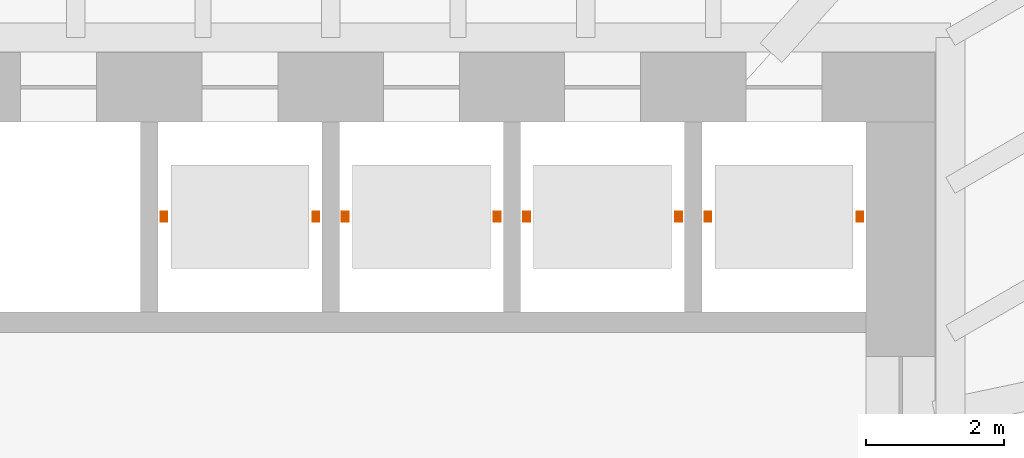
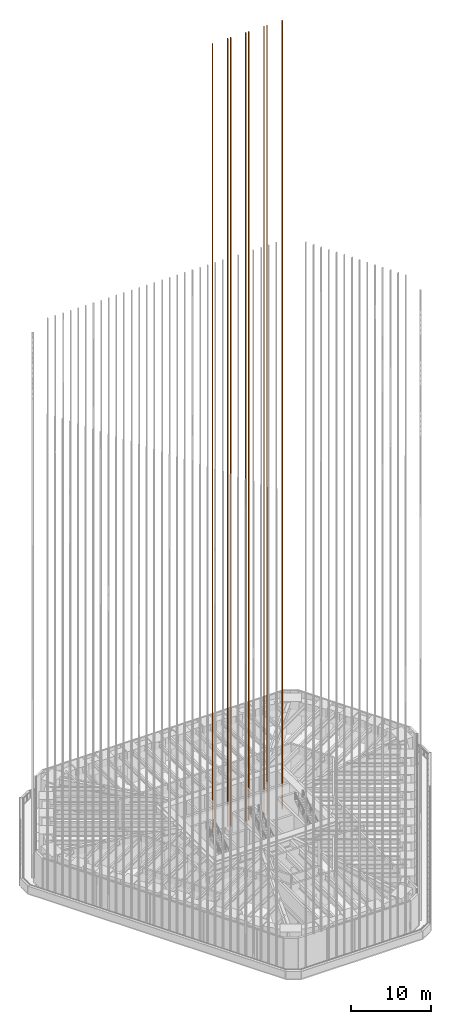
# One storey, part 228 of 228: 4 proxies.
"""IFC4 building model written with IfcOpenShell, lengths in metres."""

from ifc_helpers import new_model, si_unit, direction, frame, origin, origin_2d, place, context, subcontext, project, spatial, rectangle, extrude, material, type_object, element, save


model = new_model("IFC4")

# Units and contexts
model_context = context("Model", 3, precision=1e-05, world=origin(), true_north=direction((0.0, 1.0)))
body_context = subcontext(model_context, "Body", "Model", "MODEL_VIEW")
ifc_project = project(units=[si_unit("LENGTHUNIT", "METRE"), si_unit("AREAUNIT", "SQUARE_METRE"), si_unit("VOLUMEUNIT", "CUBIC_METRE"), si_unit("PLANEANGLEUNIT", "RADIAN"), si_unit("MASSUNIT", "GRAM", prefix="KILO")], contexts=[model_context])

# Site, building, storey
site_placement = place(None, origin())
site = spatial("IfcSite", under=ifc_project, at=site_placement, CompositionType="ELEMENT")
building_placement = place(site_placement, origin())
building = spatial("IfcBuilding", under=site, at=building_placement, Name="Sandreach Pilgrim Tower", CompositionType="ELEMENT")
storey_placement = place(building_placement, frame((0.0, 0.0, 178.199951171875)))
storey = spatial("IfcBuildingStorey", under=building, at=storey_placement, Name="L44", CompositionType="ELEMENT", Elevation=178.199951171875)

# Proxies
ifc_material = material(Name="Steel guide rail", Category="steel")
building_element_proxy_type = type_object("IfcBuildingElementProxyType", Name="Lift guide rails", PredefinedType="NOTDEFINED", material=ifc_material)
for number, where, z_axis, x_axis, name in (
    (1, (-1.3125, 4.72509765625, 0.0), (0.0, 0.0, 1.0), (1.0, 0.0, 0.0), "Guide rails Z3A"),
    (2, (1.3125, 4.72509765625, 0.0), (0.0, 0.0, 1.0), (1.0, 0.0, 0.0), "Guide rails Z3B"),
    (3, (3.9375, 4.72509765625, 0.0), (0.0, 0.0, 1.0), (1.0, 0.0, 0.0), "Guide rails Z3C"),
    (4, (6.5625, 4.72509765625, 0.0), (0.0, 0.0, 1.0), (1.0, 0.0, 0.0), "Guide rails Z3D"),
):
    element("IfcBuildingElementProxy", number, at=place(storey_placement, frame(where, z_axis=z_axis, x_axis=x_axis)), inside=storey, type_object=building_element_proxy_type, Name=name, PredefinedType="NOTDEFINED", context=body_context, shape_type="SweptSolid", body=[
        extrude(rectangle(XDim=0.10009765625, YDim=0.14990234375, at=origin_2d()), frame((-1.10009765625, 0.0, 0.0)), (0.0, 0.0, 1.0), 120.400146484375),
        extrude(rectangle(XDim=0.10009765625, YDim=0.14990234375, at=origin_2d()), frame((1.10009765625, 0.0, 0.0)), (0.0, 0.0, 1.0), 120.400146484375),
    ])

save(model, "model.ifc")
